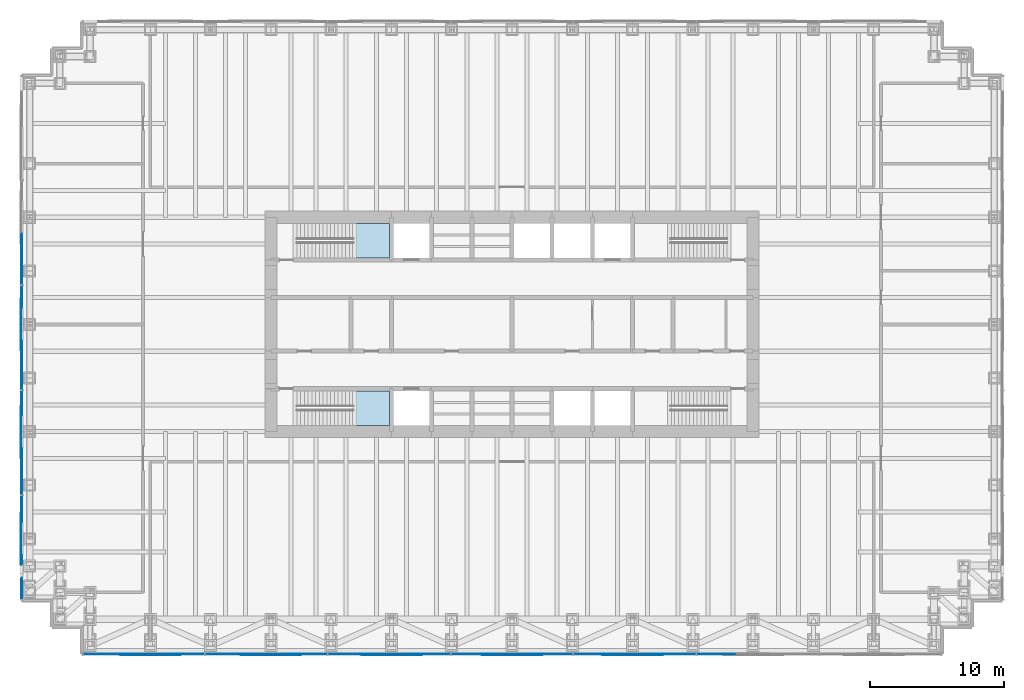
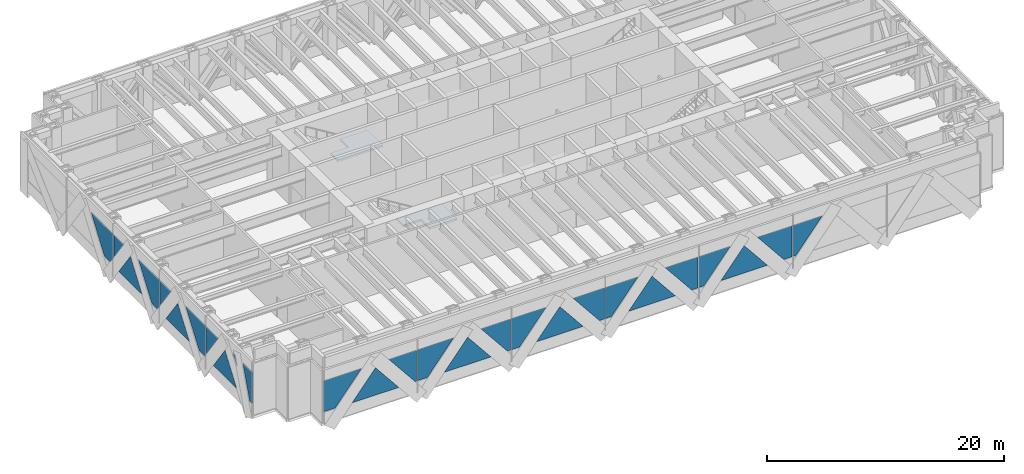
# One storey, part 10 of 16: 27 plates, 2 slabs, 4 elements without a shape of their own.
"""IFC4 building model written with IfcOpenShell, lengths in metres."""

from ifc_helpers import new_model, si_unit, direction, frame, origin, place, context, subcontext, project, spatial, polyline, outline, extrude, material, layer, layer_set, type_object, element, aggregate, save


model = new_model("IFC4")

# Units and contexts
model_context = context("Model", 3, precision=1e-05, world=origin(), true_north=direction((0.0, 1.0)))
body_context = subcontext(model_context, "Body", "Model", "MODEL_VIEW")
ifc_project = project(units=[si_unit("LENGTHUNIT", "METRE"), si_unit("AREAUNIT", "SQUARE_METRE"), si_unit("VOLUMEUNIT", "CUBIC_METRE"), si_unit("PLANEANGLEUNIT", "RADIAN"), si_unit("MASSUNIT", "GRAM", prefix="KILO")], contexts=[model_context])

# Site, building, storey
site_placement = place(None, origin())
site = spatial("IfcSite", under=ifc_project, at=site_placement, CompositionType="ELEMENT")
building_placement = place(site_placement, origin())
building = spatial("IfcBuilding", under=site, at=building_placement, Name="Rheinbord Bourse Tower", CompositionType="ELEMENT")
storey_placement = place(building_placement, frame((0.0, 0.0, 95.0)))
storey = spatial("IfcBuildingStorey", under=building, at=storey_placement, Name="L20", CompositionType="ELEMENT", Elevation=95.0)

# Curtain wall, plates
ifc_material_1 = material(Name="Dark glass and black aluminium", Category="aluminium")
curtain_wall_type = type_object("IfcCurtainWallType", Name="CW5 DARK GLASS CURTAIN WALL", PredefinedType="USERDEFINED", material=ifc_material_1)
curtain_wall_1_placement = place(storey_placement, origin())
curtain_wall_1 = element("IfcCurtainWall", 1, at=curtain_wall_1_placement, inside=storey, type_object=curtain_wall_type, Name="Curtain wall CW5 S L20", ObjectType="UNITISED CURTAIN WALL", PredefinedType="USERDEFINED")
ifc_material_2 = material(Name="Dark tinted triple insulating glass", Category="glass")
ifc_layer_1 = layer(ifc_material_2, 0.050048828125)
ifc_layer_set_1 = layer_set([ifc_layer_1], Name="CW5 DARK GLASS PANEL")
plate_type = type_object("IfcPlateType", Name="CW5 DARK GLASS PANEL", PredefinedType="CURTAIN_PANEL", material=ifc_layer_set_1)
plate_1_placement = place(storey_placement, frame((3.97998046875, -0.625, 1.14990234375), z_axis=(0.0, 1.0, 0.0), x_axis=(0.0, 0.0, 1.0)))
plate_1 = element("IfcPlate", 2, at=plate_1_placement, type_object=plate_type, Name="CW5 glass facet 1", PredefinedType="CURTAIN_PANEL", context=body_context, shape_type="SweptSolid", body=[
    extrude(outline(polyline([(0.0, 0.0), (3.2001953125, 0.0), (3.2001953125, 3.697021484375), (0.0, 1.12109375), (0.0, 0.0)])), origin(), (0.0, 0.0, 1.0), 0.050048828125),
])
plate_2_placement = place(storey_placement, frame((6.717041015625, -0.68017578125, 1.14990234375), z_axis=(0.0, 1.0, 0.0), x_axis=(0.627039180452, 0.0, 0.778987718887)))
plate_2 = element("IfcPlate", 3, at=plate_2_placement, type_object=plate_type, Name="CW5 glass facet 2", PredefinedType="CURTAIN_PANEL", context=body_context, shape_type="SweptSolid", body=[
    extrude(outline(polyline([(0.0, 0.0), (3.640869140625, 0.0), (2.863037109375, 3.556884765625), (0.0, 0.0)])), origin(), (0.0, 0.0, 1.0), 0.050048828125),
])
plate_3_placement = place(storey_placement, frame((13.031005859375, -0.625, 4.35009765625), z_axis=(0.0, 1.0, 0.0), x_axis=(0.0, 0.0, -1.0)))
plate_3 = element("IfcPlate", 4, at=plate_3_placement, type_object=plate_type, Name="CW5 glass facet 3", PredefinedType="CURTAIN_PANEL", context=body_context, shape_type="SweptSolid", body=[
    extrude(outline(polyline([(0.0, 0.0), (3.2001953125, 0.0), (3.2001953125, 0.132080078125), (0.0, 2.7080078125), (0.0, 0.0)])), origin(), (0.0, 0.0, 1.0), 0.050048828125),
])
plate_4_placement = place(storey_placement, frame((13.111083984375, -0.625, 1.14990234375), z_axis=(0.0, 1.0, 0.0), x_axis=(0.0, 0.0, 1.0)))
plate_4 = element("IfcPlate", 5, at=plate_4_placement, type_object=plate_type, Name="CW5 glass facet 1", PredefinedType="CURTAIN_PANEL", context=body_context, shape_type="SweptSolid", body=[
    extrude(outline(polyline([(0.0, 0.0), (3.2001953125, 0.0), (3.2001953125, 3.56591796875), (0.0, 0.989990234375), (0.0, 0.0)])), origin(), (0.0, 0.0, 1.0), 0.050048828125),
])
plate_5_placement = place(storey_placement, frame((15.717041015625, -0.68017578125, 1.14990234375), z_axis=(0.0, 1.0, 0.0), x_axis=(0.627039180452, 0.0, 0.778987718887)))
plate_5 = element("IfcPlate", 6, at=plate_5_placement, type_object=plate_type, Name="CW5 glass facet 2", PredefinedType="CURTAIN_PANEL", context=body_context, shape_type="SweptSolid", body=[
    extrude(outline(polyline([(0.0, 0.0), (3.640869140625, 0.0), (2.863037109375, 3.556884765625), (0.0, 0.0)])), origin(), (0.0, 0.0, 1.0), 0.050048828125),
])
plate_6_placement = place(storey_placement, frame((22.202880859375, -0.625, 4.35009765625), z_axis=(0.0, 1.0, 0.0), x_axis=(0.0, 0.0, -1.0)))
plate_6 = element("IfcPlate", 7, at=plate_6_placement, type_object=plate_type, Name="CW5 glass facet 3", PredefinedType="CURTAIN_PANEL", context=body_context, shape_type="SweptSolid", body=[
    extrude(outline(polyline([(0.0, 0.0), (3.2001953125, 0.0), (3.2001953125, 0.303955078125), (0.0, 2.8798828125), (0.0, 0.0)])), origin(), (0.0, 0.0, 1.0), 0.050048828125),
])
plate_7_placement = place(storey_placement, frame((22.282958984375, -0.625, 1.14990234375), z_axis=(0.0, 1.0, 0.0), x_axis=(0.0, 0.0, 1.0)))
plate_7 = element("IfcPlate", 8, at=plate_7_placement, type_object=plate_type, Name="CW5 glass facet 1", PredefinedType="CURTAIN_PANEL", context=body_context, shape_type="SweptSolid", body=[
    extrude(outline(polyline([(0.0, 0.0), (3.2001953125, 0.0), (3.2001953125, 3.39404296875), (0.0, 0.818115234375), (0.0, 0.0)])), origin(), (0.0, 0.0, 1.0), 0.050048828125),
])
plate_8_placement = place(storey_placement, frame((24.717041015625, -0.68017578125, 1.14990234375), z_axis=(0.0, 1.0, 0.0), x_axis=(0.627039180452, 0.0, 0.778987718887)))
plate_8 = element("IfcPlate", 9, at=plate_8_placement, type_object=plate_type, Name="CW5 glass facet 2", PredefinedType="CURTAIN_PANEL", context=body_context, shape_type="SweptSolid", body=[
    extrude(outline(polyline([(0.0, 0.0), (3.640869140625, 0.0), (2.863037109375, 3.556884765625), (0.0, 0.0)])), origin(), (0.0, 0.0, 1.0), 0.050048828125),
])
plate_9_placement = place(storey_placement, frame((31.3740234375, -0.625, 4.35009765625), z_axis=(0.0, 1.0, 0.0), x_axis=(0.0, 0.0, -1.0)))
plate_9 = element("IfcPlate", 10, at=plate_9_placement, type_object=plate_type, Name="CW5 glass facet 3", PredefinedType="CURTAIN_PANEL", context=body_context, shape_type="SweptSolid", body=[
    extrude(outline(polyline([(0.0, 0.0), (3.2001953125, 0.0), (3.2001953125, 0.47509765625), (0.0, 3.051025390625), (0.0, 0.0)])), origin(), (0.0, 0.0, 1.0), 0.050048828125),
])
plate_10_placement = place(storey_placement, frame((31.4541015625, -0.625, 1.14990234375), z_axis=(0.0, 1.0, 0.0), x_axis=(0.0, 0.0, 1.0)))
plate_10 = element("IfcPlate", 11, at=plate_10_placement, type_object=plate_type, Name="CW5 glass facet 1", PredefinedType="CURTAIN_PANEL", context=body_context, shape_type="SweptSolid", body=[
    extrude(outline(polyline([(0.0, 0.0), (3.2001953125, 0.0), (3.2001953125, 3.222900390625), (0.0, 0.64697265625), (0.0, 0.0)])), origin(), (0.0, 0.0, 1.0), 0.050048828125),
])
plate_11_placement = place(storey_placement, frame((33.717041015625, -0.68017578125, 1.14990234375), z_axis=(0.0, 1.0, 0.0), x_axis=(0.627039180452, 0.0, 0.778987718887)))
plate_11 = element("IfcPlate", 12, at=plate_11_placement, type_object=plate_type, Name="CW5 glass facet 2", PredefinedType="CURTAIN_PANEL", context=body_context, shape_type="SweptSolid", body=[
    extrude(outline(polyline([(0.0, 0.0), (3.640869140625, 0.0), (2.863037109375, 3.556884765625), (0.0, 0.0)])), origin(), (0.0, 0.0, 1.0), 0.050048828125),
])
plate_12_placement = place(storey_placement, frame((40.5458984375, -0.625, 4.35009765625), z_axis=(0.0, 1.0, 0.0), x_axis=(0.0, 0.0, -1.0)))
plate_12 = element("IfcPlate", 13, at=plate_12_placement, type_object=plate_type, Name="CW5 glass facet 3", PredefinedType="CURTAIN_PANEL", context=body_context, shape_type="SweptSolid", body=[
    extrude(outline(polyline([(0.0, 0.0), (3.2001953125, 0.0), (3.2001953125, 0.64697265625), (0.0, 3.222900390625), (0.0, 0.0)])), origin(), (0.0, 0.0, 1.0), 0.050048828125),
])
plate_13_placement = place(storey_placement, frame((40.6259765625, -0.625, 1.14990234375), z_axis=(0.0, 1.0, 0.0), x_axis=(0.0, 0.0, 1.0)))
plate_13 = element("IfcPlate", 14, at=plate_13_placement, type_object=plate_type, Name="CW5 glass facet 1", PredefinedType="CURTAIN_PANEL", context=body_context, shape_type="SweptSolid", body=[
    extrude(outline(polyline([(0.0, 0.0), (3.2001953125, 0.0), (3.2001953125, 3.051025390625), (0.0, 0.47509765625), (0.0, 0.0)])), origin(), (0.0, 0.0, 1.0), 0.050048828125),
])
plate_14_placement = place(storey_placement, frame((42.717041015625, -0.68017578125, 1.14990234375), z_axis=(0.0, 1.0, 0.0), x_axis=(0.627039180452, 0.0, 0.778987718887)))
plate_14 = element("IfcPlate", 15, at=plate_14_placement, type_object=plate_type, Name="CW5 glass facet 2", PredefinedType="CURTAIN_PANEL", context=body_context, shape_type="SweptSolid", body=[
    extrude(outline(polyline([(0.0, 0.0), (3.640869140625, 0.0), (2.863037109375, 3.556884765625), (0.0, 0.0)])), origin(), (0.0, 0.0, 1.0), 0.050048828125),
])
plate_15_placement = place(storey_placement, frame((49.717041015625, -0.625, 4.35009765625), z_axis=(0.0, 1.0, 0.0), x_axis=(0.0, 0.0, -1.0)))
plate_15 = element("IfcPlate", 16, at=plate_15_placement, type_object=plate_type, Name="CW5 glass facet 3", PredefinedType="CURTAIN_PANEL", context=body_context, shape_type="SweptSolid", body=[
    extrude(outline(polyline([(0.0, 0.0), (3.2001953125, 0.0), (3.2001953125, 0.818115234375), (0.0, 3.39404296875), (0.0, 0.0)])), origin(), (0.0, 0.0, 1.0), 0.050048828125),
])
plate_16_placement = place(storey_placement, frame((49.797119140625, -0.625, 1.14990234375), z_axis=(0.0, 1.0, 0.0), x_axis=(0.0, 0.0, 1.0)))
plate_16 = element("IfcPlate", 17, at=plate_16_placement, type_object=plate_type, Name="CW5 glass facet 1", PredefinedType="CURTAIN_PANEL", context=body_context, shape_type="SweptSolid", body=[
    extrude(outline(polyline([(0.0, 0.0), (3.2001953125, 0.0), (3.2001953125, 2.8798828125), (0.0, 0.303955078125), (0.0, 0.0)])), origin(), (0.0, 0.0, 1.0), 0.050048828125),
])
aggregate(curtain_wall_1, [plate_1, plate_2, plate_3, plate_4, plate_5, plate_6, plate_7, plate_8, plate_9, plate_10, plate_11, plate_12, plate_13, plate_14, plate_15, plate_16])

curtain_wall_2_placement = place(storey_placement, origin())
curtain_wall_2 = element("IfcCurtainWall", 18, at=curtain_wall_2_placement, inside=storey, type_object=curtain_wall_type, Name="Curtain wall CW5 W L20", ObjectType="UNITISED CURTAIN WALL", PredefinedType="USERDEFINED")
plate_17_placement = place(storey_placement, frame((-0.625, 28.47802734375, 1.14990234375), z_axis=(1.0, 0.0, 0.0), x_axis=(0.0, 0.58194222238, 0.813230133364)))
plate_17 = element("IfcPlate", 19, at=plate_17_placement, type_object=plate_type, Name="CW5 glass facet 3", PredefinedType="CURTAIN_PANEL", context=body_context, shape_type="SweptSolid", body=[
    extrude(outline(polyline([(0.0, 0.0), (3.93505859375, 0.0), (1.718994140625, 3.096923828125), (-0.244873046875, 1.69140625), (-0.556396484375, 0.777587890625), (0.0, 0.0)])), origin(), (0.0, 0.0, 1.0), 0.050048828125),
])
plate_18_placement = place(storey_placement, frame((-0.625, 26.8798828125, 4.35009765625), z_axis=(1.0, 0.0, 0.0), x_axis=(0.0, -1.0, 0.0)))
plate_18 = element("IfcPlate", 20, at=plate_18_placement, type_object=plate_type, Name="CW5 glass facet 1", PredefinedType="CURTAIN_PANEL", context=body_context, shape_type="SweptSolid", body=[
    extrude(outline(polyline([(0.0, 0.0), (1.64794921875, 0.0), (0.0, 2.302978515625), (0.0, 0.0)])), origin(), (0.0, 0.0, 1.0), 0.050048828125),
])
plate_19_placement = place(storey_placement, frame((-0.68017578125, 25.97412109375, 1.14990234375), z_axis=(1.0, 0.0, 0.0), x_axis=(0.0, -0.582034564553, 0.813164045975)))
plate_19 = element("IfcPlate", 21, at=plate_19_placement, type_object=plate_type, Name="CW5 glass facet 2", PredefinedType="CURTAIN_PANEL", context=body_context, shape_type="SweptSolid", body=[
    extrude(outline(polyline([(0.0, 0.0), (3.391845703125, 0.0), (2.298095703125, 3.21044921875), (0.0, 0.0)])), origin(), (0.0, 0.0, 1.0), 0.050048828125),
])
plate_20_placement = place(storey_placement, frame((-0.625, 20.47802734375, 1.14990234375), z_axis=(1.0, 0.0, 0.0), x_axis=(0.0, 0.58194222238, 0.813230133364)))
plate_20 = element("IfcPlate", 22, at=plate_20_placement, type_object=plate_type, Name="CW5 glass facet 3", PredefinedType="CURTAIN_PANEL", context=body_context, shape_type="SweptSolid", body=[
    extrude(outline(polyline([(0.0, 0.0), (3.93505859375, 0.0), (1.812255859375, 2.966552734375), (-0.333251953125, 1.431396484375), (-0.556396484375, 0.777587890625), (0.0, 0.0)])), origin(), (0.0, 0.0, 1.0), 0.050048828125),
])
plate_21_placement = place(storey_placement, frame((-0.625, 19.0400390625, 4.35009765625), z_axis=(1.0, 0.0, 0.0), x_axis=(0.0, -1.0, 0.0)))
plate_21 = element("IfcPlate", 23, at=plate_21_placement, type_object=plate_type, Name="CW5 glass facet 1", PredefinedType="CURTAIN_PANEL", context=body_context, shape_type="SweptSolid", body=[
    extrude(outline(polyline([(0.0, 0.0), (1.80810546875, 0.0), (0.0, 2.527099609375), (0.0, 0.0)])), origin(), (0.0, 0.0, 1.0), 0.050048828125),
])
plate_22_placement = place(storey_placement, frame((-0.68017578125, 17.97412109375, 1.14990234375), z_axis=(1.0, 0.0, 0.0), x_axis=(0.0, -0.582034564553, 0.813164045975)))
plate_22 = element("IfcPlate", 24, at=plate_22_placement, type_object=plate_type, Name="CW5 glass facet 2", PredefinedType="CURTAIN_PANEL", context=body_context, shape_type="SweptSolid", body=[
    extrude(outline(polyline([(0.0, 0.0), (3.391845703125, 0.0), (2.298095703125, 3.21044921875), (0.0, 0.0)])), origin(), (0.0, 0.0, 1.0), 0.050048828125),
])
plate_23_placement = place(storey_placement, frame((-0.625, 12.47802734375, 1.14990234375), z_axis=(1.0, 0.0, 0.0), x_axis=(0.0, 0.58194222238, 0.813230133364)))
plate_23 = element("IfcPlate", 25, at=plate_23_placement, type_object=plate_type, Name="CW5 glass facet 3", PredefinedType="CURTAIN_PANEL", context=body_context, shape_type="SweptSolid", body=[
    extrude(outline(polyline([(0.0, 0.0), (3.93505859375, 0.0), (1.9052734375, 2.836669921875), (-0.422119140625, 1.171142578125), (-0.556396484375, 0.777587890625), (0.0, 0.0)])), origin(), (0.0, 0.0, 1.0), 0.050048828125),
])
plate_24_placement = place(storey_placement, frame((-0.625, 11.199951171875, 4.35009765625), z_axis=(1.0, 0.0, 0.0), x_axis=(0.0, -1.0, 0.0)))
plate_24 = element("IfcPlate", 26, at=plate_24_placement, type_object=plate_type, Name="CW5 glass facet 1", PredefinedType="CURTAIN_PANEL", context=body_context, shape_type="SweptSolid", body=[
    extrude(outline(polyline([(0.0, 0.0), (1.968017578125, 0.0), (0.0, 2.75), (0.0, 0.0)])), origin(), (0.0, 0.0, 1.0), 0.050048828125),
])
plate_25_placement = place(storey_placement, frame((-0.68017578125, 9.97412109375, 1.14990234375), z_axis=(1.0, 0.0, 0.0), x_axis=(0.0, -0.582034564553, 0.813164045975)))
plate_25 = element("IfcPlate", 27, at=plate_25_placement, type_object=plate_type, Name="CW5 glass facet 2", PredefinedType="CURTAIN_PANEL", context=body_context, shape_type="SweptSolid", body=[
    extrude(outline(polyline([(0.0, 0.0), (3.391845703125, 0.0), (2.298095703125, 3.21044921875), (0.0, 0.0)])), origin(), (0.0, 0.0, 1.0), 0.050048828125),
])
plate_26_placement = place(storey_placement, frame((-0.625, 6.43994140625, 4.35009765625), z_axis=(1.0, 0.0, 0.0), x_axis=(0.0, -0.337176693137, -0.94144138299)))
plate_26 = element("IfcPlate", 28, at=plate_26_placement, type_object=plate_type, Name="CW5 glass facet 3", PredefinedType="CURTAIN_PANEL", context=body_context, shape_type="SweptSolid", body=[
    extrude(outline(polyline([(0.0, 0.0), (0.975341796875, 0.0), (-0.110595703125, 0.308837890625), (0.0, 0.0)])), origin(), (0.0, 0.0, 1.0), 0.050048828125),
])
plate_27_placement = place(storey_placement, frame((-0.625, 3.47998046875, 4.35009765625), z_axis=(1.0, 0.0, 0.0), x_axis=(0.0, 0.0, -1.0)))
plate_27 = element("IfcPlate", 29, at=plate_27_placement, type_object=plate_type, Name="CW5 glass facet 4", PredefinedType="CURTAIN_PANEL", context=body_context, shape_type="SweptSolid", body=[
    extrude(outline(polyline([(0.0, 0.0), (3.2001953125, 0.0), (3.2001953125, 0.47802734375), (0.0, 1.6220703125), (0.0, 0.0)])), origin(), (0.0, 0.0, 1.0), 0.050048828125),
])
aggregate(curtain_wall_2, [plate_17, plate_18, plate_19, plate_20, plate_21, plate_22, plate_23, plate_24, plate_25, plate_26, plate_27])

# Stair, slab
ifc_material_3 = material(Name="Concrete C30/37", Category="concrete")
stair_type = type_object("IfcStairType", Name="CORE STAIR HALF TURN 5500", PredefinedType="HALF_TURN_STAIR", material=ifc_material_3)
stair_1_placement = place(storey_placement, origin())
stair_1 = element("IfcStair", 30, at=stair_1_placement, inside=storey, type_object=stair_type, Name="Stair ST1 L20, type CS5", PredefinedType="HALF_TURN_STAIR")
ifc_material_4 = material(Name="Concrete C30/37", Category="concrete")
ifc_layer_2 = layer(ifc_material_4, 0.199951171875)
ifc_layer_set_2 = layer_set([ifc_layer_2], Name="STAIR LANDING 200")
slab_type = type_object("IfcSlabType", Name="STAIR LANDING 200", PredefinedType="LANDING", material=ifc_layer_set_2)
slab_1_placement = place(storey_placement, frame((0.0, 0.0, 2.550048828125)))
slab_1 = element("IfcSlab", 31, at=slab_1_placement, type_object=slab_type, Name="Half landing ST1 L20", PredefinedType="LANDING", context=body_context, shape_type="SweptSolid", body=[
    extrude(outline(polyline([(24.14990234375, 16.449951171875), (26.85009765625, 16.449951171875), (26.85009765625, 19.050048828125), (22.419921875, 19.050048828125), (22.419921875, 17.85009765625), (24.14990234375, 17.85009765625), (24.14990234375, 16.449951171875)])), origin(), (0.0, 0.0, 1.0), 0.199951171875),
])
aggregate(stair_1, [slab_1])

stair_2_placement = place(storey_placement, origin())
stair_2 = element("IfcStair", 32, at=stair_2_placement, inside=storey, type_object=stair_type, Name="Stair ST2 L20, type CS5", PredefinedType="HALF_TURN_STAIR")
slab_2_placement = place(storey_placement, frame((0.0, 0.0, 2.550048828125)))
slab_2 = element("IfcSlab", 33, at=slab_2_placement, type_object=slab_type, Name="Half landing ST2 L20", PredefinedType="LANDING", context=body_context, shape_type="SweptSolid", body=[
    extrude(outline(polyline([(22.419921875, 28.949951171875), (26.85009765625, 28.949951171875), (26.85009765625, 31.550048828125), (24.14990234375, 31.550048828125), (24.14990234375, 30.14990234375), (22.419921875, 30.14990234375), (22.419921875, 28.949951171875)])), origin(), (0.0, 0.0, 1.0), 0.199951171875),
])
aggregate(stair_2, [slab_2])

save(model, "model.ifc")
